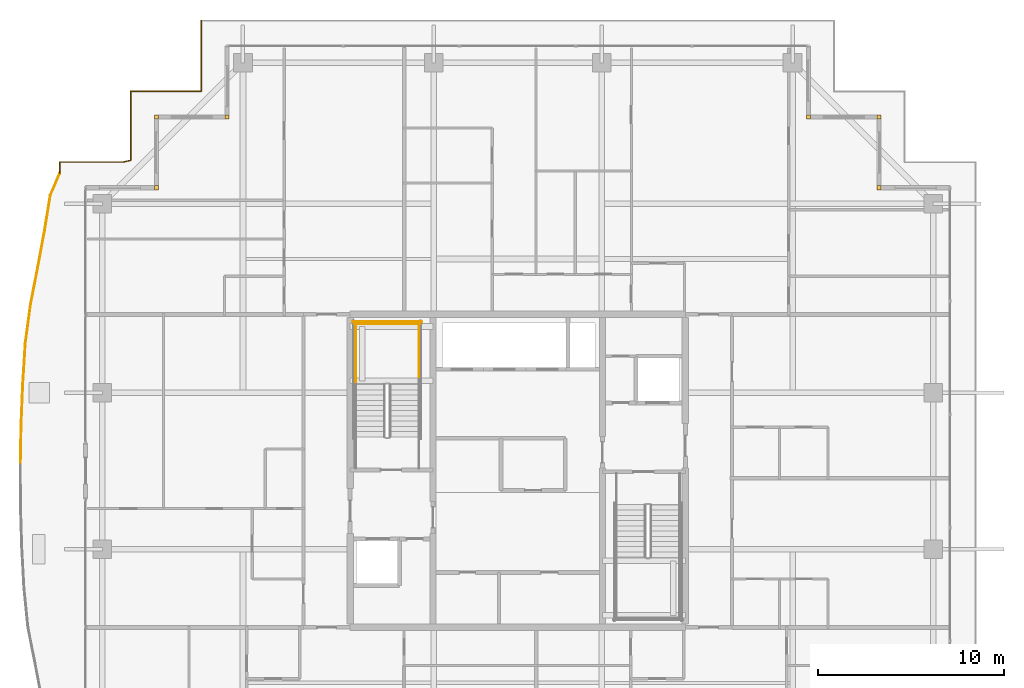
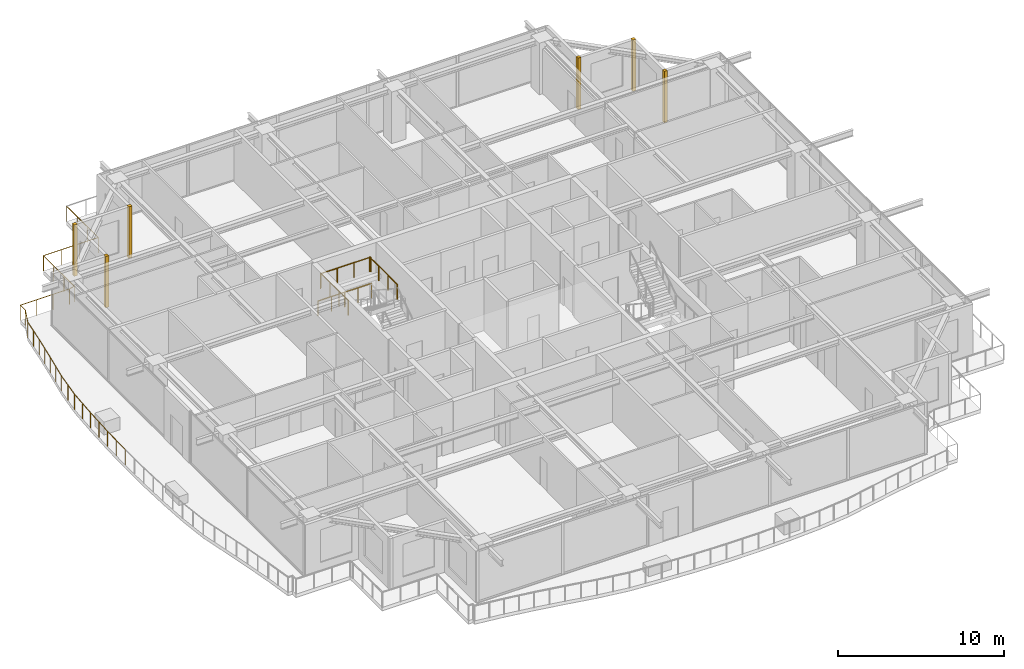
# One storey, part 38 of 38: 6 coverings, 6 railings.
"""IFC4 building model written with IfcOpenShell, lengths in metres."""

from ifc_helpers import new_model, si_unit, direction, frame, origin, origin_2d, place, context, subcontext, project, spatial, rectangle, circle, extrude, source, transform, mapped, material, layer, layer_set, type_object, element, save


model = new_model("IFC4")

# Units and contexts
model_context = context("Model", 3, precision=1e-05, world=origin(), true_north=direction((0.0, 1.0)))
body_context = subcontext(model_context, "Body", "Model", "MODEL_VIEW")
ifc_project = project(units=[si_unit("LENGTHUNIT", "METRE"), si_unit("AREAUNIT", "SQUARE_METRE"), si_unit("VOLUMEUNIT", "CUBIC_METRE"), si_unit("PLANEANGLEUNIT", "RADIAN"), si_unit("MASSUNIT", "GRAM", prefix="KILO")], contexts=[model_context])

# Site, building, storey
site_placement = place(None, origin())
site = spatial("IfcSite", under=ifc_project, at=site_placement, CompositionType="ELEMENT")
building_placement = place(site_placement, origin())
building = spatial("IfcBuilding", under=site, at=building_placement, Name="Serunith Strait Residences", CompositionType="ELEMENT")
storey_placement = place(building_placement, frame((0.0, 0.0, 321.800048828125)))
storey = spatial("IfcBuildingStorey", under=building, at=storey_placement, Name="L80", CompositionType="ELEMENT", Elevation=321.800048828125)

# Railings
ifc_material_1 = material(Name="Stainless Steel & Laminated Glass Balustrade", Category="steel")
railing_type_1 = type_object("IfcRailingType", Name="RLG-BALC-1150", PredefinedType="BALUSTRADE", material=ifc_material_1)
railing_1_placement = place(storey_placement, frame((5.7060546875, 25.5068359375, -0.050048828125)))
element("IfcRailing", 1, at=railing_1_placement, inside=storey, type_object=railing_type_1, Name="L80 Swirling Balcony Perimeter Balustrade 3", PredefinedType="BALUSTRADE", context=body_context, shape_type="SweptSolid", body=[
    extrude(circle(Radius=0.02392578125, at=origin_2d()), frame((0.0, 0.001953125, 1.1259765625), z_axis=(0.018628240936, 0.999826479265, 0.0), x_axis=(-0.999826479265, 0.018628240936, 0.0)), (0.0, 0.0, 1.0), 2.19775390625),
    extrude(circle(Radius=0.02392578125, at=origin_2d()), frame((0.041015625, 2.203369140625, 1.1259765625), z_axis=(0.041398475263, 0.999142715655, 0.0), x_axis=(-0.999142715655, 0.041398475263, 0.0)), (0.0, 0.0, 1.0), 2.183837890625),
    extrude(circle(Radius=0.02392578125, at=origin_2d()), frame((0.1318359375, 4.389404296875, 1.1259765625), z_axis=(0.061711026325, 0.998094058308, 0.0), x_axis=(-0.998094058308, 0.061711026325, 0.0)), (0.0, 0.0, 1.0), 2.16015625),
    extrude(circle(Radius=0.02392578125, at=origin_2d()), frame((0.265380859375, 6.54931640625, 1.1259765625), z_axis=(0.133788653444, 0.991009887039, 0.0), x_axis=(-0.991009887039, 0.133788653444, 0.0)), (0.0, 0.0, 1.0), 2.101806640625),
    extrude(circle(Radius=0.02392578125, at=origin_2d()), frame((0.54736328125, 8.63623046875, 1.1259765625), z_axis=(0.191101129699, 0.981570353173, 0.0), x_axis=(-0.981570353173, 0.191101129699, 0.0)), (0.0, 0.0, 1.0), 2.028564453125),
    extrude(circle(Radius=0.02392578125, at=origin_2d()), frame((0.935546875, 10.63134765625, 1.1259765625), z_axis=(0.181620904858, 0.983368622094, 0.0), x_axis=(-0.983368622094, 0.181620904858, 0.0)), (0.0, 0.0, 1.0), 1.974609375),
    extrude(circle(Radius=0.02392578125, at=origin_2d()), frame((1.294921875, 12.5771484375, 1.1259765625), z_axis=(0.160846681838, 0.986979404517, 0.0), x_axis=(-0.986979404517, 0.160846681838, 0.0)), (0.0, 0.0, 1.0), 1.935791015625),
    extrude(circle(Radius=0.02392578125, at=origin_2d()), frame((1.607421875, 14.49169921875, 1.1259765625), z_axis=(0.393622079013, 0.919272352959, 0.0), x_axis=(-0.919272352959, 0.393622079013, 0.0)), (0.0, 0.0, 1.0), 1.284912109375),
    extrude(circle(Radius=0.02099609375, at=origin_2d()), origin(), (0.0, 0.0, 1.0), 1.099853515625),
    extrude(circle(Radius=0.02099609375, at=origin_2d()), frame((0.0205078125, 1.1005859375, 0.0)), (0.0, 0.0, 1.0), 1.099853515625),
    extrude(circle(Radius=0.02099609375, at=origin_2d()), frame((0.041015625, 2.201416015625, 0.0)), (0.0, 0.0, 1.0), 1.099853515625),
    extrude(circle(Radius=0.02099609375, at=origin_2d()), frame((0.08642578125, 3.29443359375, 0.0)), (0.0, 0.0, 1.0), 1.099853515625),
    extrude(circle(Radius=0.02099609375, at=origin_2d()), frame((0.131591796875, 4.387451171875, 0.0)), (0.0, 0.0, 1.0), 1.099853515625),
    extrude(circle(Radius=0.02099609375, at=origin_2d()), frame((0.1982421875, 5.46728515625, 0.0)), (0.0, 0.0, 1.0), 1.099853515625),
    extrude(circle(Radius=0.02099609375, at=origin_2d()), frame((0.26513671875, 6.54736328125, 0.0)), (0.0, 0.0, 1.0), 1.099853515625),
    extrude(circle(Radius=0.02099609375, at=origin_2d()), frame((0.406005859375, 7.5908203125, 0.0)), (0.0, 0.0, 1.0), 1.099853515625),
    extrude(circle(Radius=0.02099609375, at=origin_2d()), frame((0.546875, 8.63427734375, 0.0)), (0.0, 0.0, 1.0), 1.099853515625),
    extrude(circle(Radius=0.02099609375, at=origin_2d()), frame((0.7412109375, 9.6318359375, 0.0)), (0.0, 0.0, 1.0), 1.099853515625),
    extrude(circle(Radius=0.02099609375, at=origin_2d()), frame((0.935302734375, 10.62939453125, 0.0)), (0.0, 0.0, 1.0), 1.099853515625),
    extrude(circle(Radius=0.02099609375, at=origin_2d()), frame((1.114990234375, 11.602294921875, 0.0)), (0.0, 0.0, 1.0), 1.099853515625),
    extrude(circle(Radius=0.02099609375, at=origin_2d()), frame((1.294677734375, 12.5751953125, 0.0)), (0.0, 0.0, 1.0), 1.099853515625),
    extrude(circle(Radius=0.02099609375, at=origin_2d()), frame((1.45068359375, 13.532470703125, 0.0)), (0.0, 0.0, 1.0), 1.099853515625),
    extrude(circle(Radius=0.02099609375, at=origin_2d()), frame((1.606689453125, 14.48974609375, 0.0)), (0.0, 0.0, 1.0), 1.099853515625),
    extrude(circle(Radius=0.02099609375, at=origin_2d()), frame((2.114013671875, 15.674560546875, 0.0)), (0.0, 0.0, 1.0), 1.099853515625),
])
railing_2_placement = place(storey_placement, frame((7.820068359375, 41.181396484375, -0.050048828125)))
element("IfcRailing", 2, at=railing_2_placement, inside=storey, type_object=railing_type_1, Name="L80 Swirling Balcony Perimeter Balustrade 4", PredefinedType="BALUSTRADE", context=body_context, shape_type="SweptSolid", body=[
    extrude(circle(Radius=0.02392578125, at=origin_2d()), frame((0.0, 0.001953125, 1.1259765625), z_axis=(0.0, 1.0, 0.0), x_axis=(-1.0, 0.0, 0.0)), (0.0, 0.0, 1.0), 0.5947265625),
    extrude(circle(Radius=0.02392578125, at=origin_2d()), frame((0.001953125, 0.5986328125, 1.1259765625), z_axis=(1.0, 0.0, 0.0), x_axis=(0.0, 1.0, 0.0)), (0.0, 0.0, 1.0), 3.4072265625),
    extrude(circle(Radius=0.02392578125, at=origin_2d()), frame((3.4130859375, 0.59912109375, 1.1259765625), z_axis=(0.970178314617, 0.24239232217, 0.0), x_axis=(-0.24239232217, 0.970178314617, 0.0)), (0.0, 0.0, 1.0), 0.39697265625),
    extrude(circle(Radius=0.02392578125, at=origin_2d()), frame((3.800048828125, 0.69775390625, 1.1259765625), z_axis=(0.0, 1.0, 0.0), x_axis=(-1.0, 0.0, 0.0)), (0.0, 0.0, 1.0), 3.698974609375),
    extrude(circle(Radius=0.02392578125, at=origin_2d()), frame((3.802001953125, 4.398681640625, 1.1259765625), z_axis=(1.0, 0.0, 0.0), x_axis=(0.0, 1.0, 0.0)), (0.0, 0.0, 1.0), 3.779052734375),
    extrude(circle(Radius=0.02392578125, at=origin_2d()), frame((7.599853515625, 4.40673828125, 1.1259765625), z_axis=(0.0, 1.0, 0.0), x_axis=(-1.0, 0.0, 0.0)), (0.0, 0.0, 1.0), 3.789794921875),
    extrude(circle(Radius=0.02099609375, at=origin_2d()), origin(), (0.0, 0.0, 1.0), 1.099853515625),
    extrude(circle(Radius=0.02099609375, at=origin_2d()), frame((0.0, 0.5986328125, 0.0)), (0.0, 0.0, 1.0), 1.099853515625),
    extrude(circle(Radius=0.02099609375, at=origin_2d()), frame((1.136962890625, 0.5986328125, 0.0)), (0.0, 0.0, 1.0), 1.099853515625),
    extrude(circle(Radius=0.02099609375, at=origin_2d()), frame((2.274169921875, 0.5986328125, 0.0)), (0.0, 0.0, 1.0), 1.099853515625),
    extrude(circle(Radius=0.02099609375, at=origin_2d()), frame((3.4111328125, 0.5986328125, 0.0)), (0.0, 0.0, 1.0), 1.099853515625),
    extrude(circle(Radius=0.02099609375, at=origin_2d()), frame((3.800048828125, 0.69580078125, 0.0)), (0.0, 0.0, 1.0), 1.099853515625),
    extrude(circle(Radius=0.02099609375, at=origin_2d()), frame((3.800048828125, 1.93017578125, 0.0)), (0.0, 0.0, 1.0), 1.099853515625),
    extrude(circle(Radius=0.02099609375, at=origin_2d()), frame((3.800048828125, 3.164306640625, 0.0)), (0.0, 0.0, 1.0), 1.099853515625),
    extrude(circle(Radius=0.02099609375, at=origin_2d()), frame((3.800048828125, 4.398681640625, 0.0)), (0.0, 0.0, 1.0), 1.099853515625),
    extrude(circle(Radius=0.02099609375, at=origin_2d()), frame((5.06103515625, 4.398681640625, 0.0)), (0.0, 0.0, 1.0), 1.099853515625),
    extrude(circle(Radius=0.02099609375, at=origin_2d()), frame((6.322021484375, 4.398681640625, 0.0)), (0.0, 0.0, 1.0), 1.099853515625),
    extrude(circle(Radius=0.02099609375, at=origin_2d()), frame((7.599853515625, 4.40478515625, 0.0)), (0.0, 0.0, 1.0), 1.099853515625),
    extrude(circle(Radius=0.02099609375, at=origin_2d()), frame((7.599853515625, 5.66943359375, 0.0)), (0.0, 0.0, 1.0), 1.099853515625),
    extrude(circle(Radius=0.02099609375, at=origin_2d()), frame((7.599853515625, 6.933837890625, 0.0)), (0.0, 0.0, 1.0), 1.099853515625),
    extrude(circle(Radius=0.02099609375, at=origin_2d()), frame((7.599853515625, 8.198486328125, 0.0)), (0.0, 0.0, 1.0), 1.099853515625),
])
ifc_material_2 = material(Name="Brushed stainless steel 316L", Category="steel")
railing_type_2 = type_object("IfcRailingType", Name="RLG-STAIR-GUARD", PredefinedType="BALUSTRADE", material=ifc_material_2)
for number, where, name in (
    (3, (27.10009765625, 29.830078125, 2.02490234375), "L80 ST-1 stair guard 3"),
    (4, (23.699951171875, 29.830078125, 2.02490234375), "L80 ST-1 stair guard 4"),
):
    element("IfcRailing", number, at=place(storey_placement, frame(where)), inside=storey, type_object=railing_type_2, Name=name, PredefinedType="BALUSTRADE", context=body_context, shape_type="SweptSolid", body=[
        extrude(circle(Radius=0.02392578125, at=origin_2d()), frame((0.0, 0.001953125, 1.076171875), z_axis=(0.0, 1.0, 0.0), x_axis=(-1.0, 0.0, 0.0)), (0.0, 0.0, 1.0), 3.31591796875),
        extrude(circle(Radius=0.02099609375, at=origin_2d()), origin(), (0.0, 0.0, 1.0), 1.050048828125),
        extrude(circle(Radius=0.02099609375, at=origin_2d()), frame((0.0, 1.106689453125, 0.0)), (0.0, 0.0, 1.0), 1.050048828125),
        extrude(circle(Radius=0.02099609375, at=origin_2d()), frame((0.0, 2.213134765625, 0.0)), (0.0, 0.0, 1.0), 1.050048828125),
        extrude(circle(Radius=0.02099609375, at=origin_2d()), frame((0.0, 3.31982421875, 0.0)), (0.0, 0.0, 1.0), 1.050048828125),
    ])
railing_3_placement = place(storey_placement, frame((27.14990234375, 33.10009765625, 2.02490234375)))
element("IfcRailing", 5, at=railing_3_placement, inside=storey, type_object=railing_type_2, Name="L80 ST-1 stair guard 5", PredefinedType="BALUSTRADE", context=body_context, shape_type="SweptSolid", body=[
    extrude(circle(Radius=0.02392578125, at=origin_2d()), frame((-0.001953125, 0.0, 1.076171875), z_axis=(-1.0, 0.0, 0.0), x_axis=(0.0, -1.0, 0.0)), (0.0, 0.0, 1.0), 3.49609375),
    extrude(circle(Radius=0.02099609375, at=origin_2d()), origin(), (0.0, 0.0, 1.0), 1.050048828125),
    extrude(circle(Radius=0.02099609375, at=origin_2d()), frame((-1.166748046875, 0.0, 0.0)), (0.0, 0.0, 1.0), 1.050048828125),
    extrude(circle(Radius=0.02099609375, at=origin_2d()), frame((-2.333251953125, 0.0, 0.0)), (0.0, 0.0, 1.0), 1.050048828125),
    extrude(circle(Radius=0.02099609375, at=origin_2d()), frame((-3.5, 0.0, 0.0)), (0.0, 0.0, 1.0), 1.050048828125),
])
railing_4_placement = place(storey_placement, frame((27.25, 33.199951171875, 0.0)))
element("IfcRailing", 6, at=railing_4_placement, inside=storey, type_object=railing_type_2, Name="L80 ST-1 stair guard 12", PredefinedType="BALUSTRADE", context=body_context, shape_type="SweptSolid", body=[
    extrude(circle(Radius=0.02392578125, at=origin_2d()), frame((-0.001953125, 0.0, 1.076171875), z_axis=(-1.0, 0.0, 0.0), x_axis=(0.0, -1.0, 0.0)), (0.0, 0.0, 1.0), 3.696044921875),
    extrude(circle(Radius=0.02099609375, at=origin_2d()), origin(), (0.0, 0.0, 1.0), 1.050048828125),
    extrude(circle(Radius=0.02099609375, at=origin_2d()), frame((-0.925048828125, 0.0, 0.0)), (0.0, 0.0, 1.0), 1.050048828125),
    extrude(circle(Radius=0.02099609375, at=origin_2d()), frame((-1.85009765625, 0.0, 0.0)), (0.0, 0.0, 1.0), 1.050048828125),
    extrude(circle(Radius=0.02099609375, at=origin_2d()), frame((-2.77490234375, 0.0, 0.0)), (0.0, 0.0, 1.0), 1.050048828125),
    extrude(circle(Radius=0.02099609375, at=origin_2d()), frame((-3.699951171875, 0.0, 0.0)), (0.0, 0.0, 1.0), 1.050048828125),
])

# Coverings
ifc_material_3 = material(Name="Pale-Champagne Anodised Aluminium", Category="aluminium")
ifc_layer = layer(ifc_material_3, 0.219970703125, Name="Pale-Champagne Anodised Aluminium")
ifc_layer_set = layer_set([ifc_layer], Name="Pale-Champagne Anodised Aluminium")
covering_type = type_object("IfcCoveringType", Name="COV-CORN-TRIM", PredefinedType="CLADDING", material=ifc_layer_set)
shared_shape = source(origin(), body_context, "Body", "SweptSolid", [
    extrude(rectangle(XDim=0.221923828125, YDim=0.221923828125, at=origin_2d()), origin(), (0.0, 0.0, 1.0), 3.77490234375),
])
for number, where, z_axis, x_axis, name in (
    (7, (51.800048828125, 40.39990234375, 0.0), (0.0, 0.0, 1.0), (1.0, 0.0, 0.0), "L80 Girih Serrated Corner Trim Post 07"),
    (8, (51.800048828125, 44.199951171875, 0.0), (0.0, 0.0, 1.0), (1.0, 0.0, 0.0), "L80 Girih Serrated Corner Trim Post 08"),
    (9, (48.0, 44.199951171875, 0.0), (0.0, 0.0, 1.0), (1.0, 0.0, 0.0), "L80 Girih Serrated Corner Trim Post 09"),
    (10, (16.800048828125, 44.199951171875, 0.0), (0.0, 0.0, 1.0), (1.0, 0.0, 0.0), "L80 Girih Serrated Corner Trim Post 12"),
    (11, (13.0, 44.199951171875, 0.0), (0.0, 0.0, 1.0), (1.0, 0.0, 0.0), "L80 Girih Serrated Corner Trim Post 13"),
    (12, (13.0, 40.39990234375, 0.0), (0.0, 0.0, 1.0), (1.0, 0.0, 0.0), "L80 Girih Serrated Corner Trim Post 14"),
):
    element("IfcCovering", number, at=place(storey_placement, frame(where, z_axis=z_axis, x_axis=x_axis)), inside=storey, type_object=covering_type, Name=name, PredefinedType="CLADDING", context=body_context, shape_type="MappedRepresentation", body=[
        mapped(shared_shape, transform((0.0, 0.0, 0.0), scale=1.0)),
    ])

save(model, "model.ifc")
